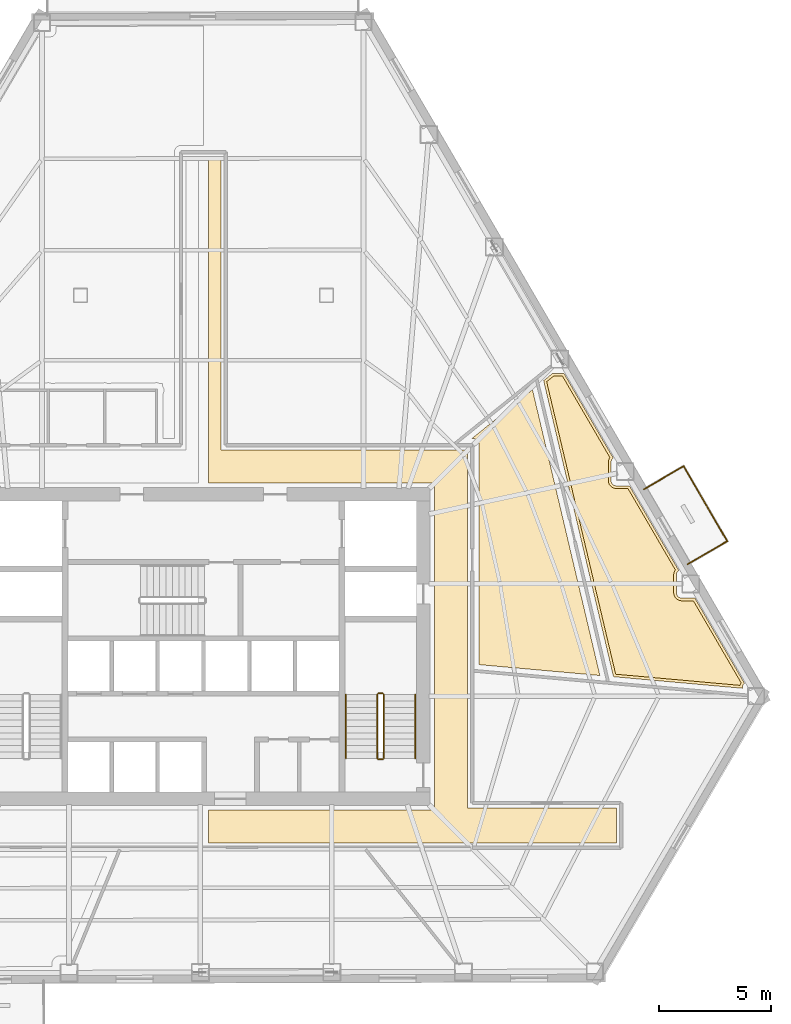
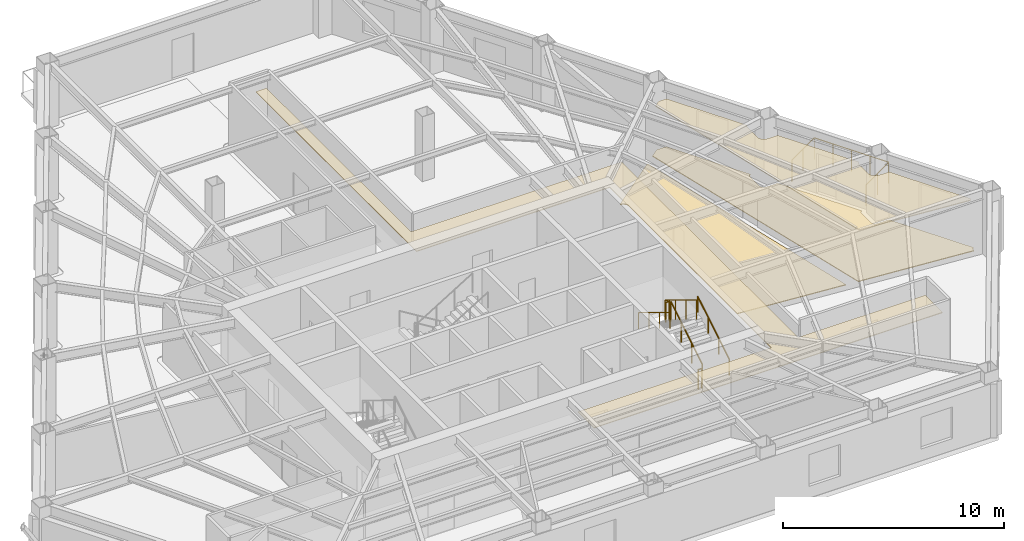
# One storey, part 14 of 15: 9 railings, 4 coverings.
"""IFC4 building model written with IfcOpenShell, lengths in metres."""

import ifcopenshell
import ifcopenshell.guid

model = None  # the IFC model being written
_history = None  # IfcOwnerHistory: only IFC2X3 demands one
_inside = {}  # id of a spatial element -> (the spatial element, [elements in it])
_under = {}  # id of a project, library or spatial element -> (it, [spatial elements below it])
_declared = {}  # id of a project -> (the project, [libraries it declares])
_typed = {}  # id of a type object -> (the type object, [elements of that type])
_made_of = {}  # id of a material, layer set ... -> (it, [elements and type objects made of it])


def new_model(schema):
    """Start an empty IFC model of exactly this schema.

    Asked for "IFC4X3", IfcOpenShell would pick the latest addendum, in which some entities
    have other attributes; the version numbers below select the first issue.
    IFC2X3 requires an IfcOwnerHistory on every rooted entity: one is made here for all.
    """
    global model, _history
    if schema == "IFC4X3":
        model = ifcopenshell.file(schema_version=(4, 3, 0, 0))
    else:
        model = ifcopenshell.file(schema=schema)
    _inside.clear()
    _under.clear()
    _declared.clear()
    _typed.clear()
    _made_of.clear()
    _history = None
    if model.schema == "IFC2X3":
        org = make("IfcOrganization", Name="unknown")
        user = make(
            "IfcPersonAndOrganization",
            ThePerson=make("IfcPerson", FamilyName="unknown"),
            TheOrganization=org,
        )
        app = make(
            "IfcApplication",
            ApplicationDeveloper=org,
            Version="unknown",
            ApplicationFullName="unknown",
            ApplicationIdentifier="unknown",
        )
        _history = make(
            "IfcOwnerHistory",
            OwningUser=user,
            OwningApplication=app,
            ChangeAction="ADDED",
            CreationDate=0,
        )
    return model


def make(cls, **values):
    """One entity of the class cls with the attributes given. An attribute that is None is left unset."""
    return model.create_entity(
        cls, **{name: value for name, value in values.items() if value is not None}
    )


def rooted(cls, **values):
    """An entity with a GlobalId (a new one), such as an element, a storey or a relation."""
    return make(cls, GlobalId=ifcopenshell.guid.new(), OwnerHistory=_history, **values)


def si_unit(unit_type, name, prefix=None):
    """IfcSIUnit, for example si_unit("LENGTHUNIT", "METRE", prefix="MILLI")."""
    return make("IfcSIUnit", UnitType=unit_type, Prefix=prefix, Name=name)


def assignment(units):
    """IfcUnitAssignment: the units of a project."""
    return None if units is None else make("IfcUnitAssignment", Units=units)


def point(xyz):
    """IfcCartesianPoint."""
    return None if xyz is None else make("IfcCartesianPoint", Coordinates=xyz)


def direction(xyz):
    """IfcDirection."""
    return None if xyz is None else make("IfcDirection", DirectionRatios=xyz)


def frame(location, z_axis=None, x_axis=None):
    """IfcAxis2Placement3D, a coordinate frame: its origin and axes. An axis left out is left unset."""
    return make(
        "IfcAxis2Placement3D",
        Location=point(location),
        Axis=direction(z_axis),
        RefDirection=direction(x_axis),
    )


def frame_2d(location, x_axis=None):
    """IfcAxis2Placement2D, a coordinate frame in the plane: its origin and x axis."""
    return make(
        "IfcAxis2Placement2D", Location=point(location), RefDirection=direction(x_axis)
    )


def origin():
    """The frame at (0, 0, 0) with its axes left unset."""
    return frame((0.0, 0.0, 0.0))


def origin_2d():
    """The frame at (0, 0) in the plane with its x axis left unset."""
    return frame_2d((0.0, 0.0))


def place(relative_to, where):
    """IfcLocalPlacement: puts the frame where relative to a parent placement (None: the world)."""
    return make(
        "IfcLocalPlacement", PlacementRelTo=relative_to, RelativePlacement=where
    )


def context(
    kind, dimensions, precision=None, world=None, true_north=None, identifier=None
):
    """IfcGeometricRepresentationContext, for example the 3D "Model" context."""
    return make(
        "IfcGeometricRepresentationContext",
        ContextIdentifier=identifier,
        ContextType=kind,
        CoordinateSpaceDimension=dimensions,
        Precision=precision,
        WorldCoordinateSystem=world,
        TrueNorth=true_north,
    )


def subcontext(parent, identifier, kind, view, scale=None):
    """IfcGeometricRepresentationSubContext, for example "Body" below "Model"."""
    return make(
        "IfcGeometricRepresentationSubContext",
        ContextIdentifier=identifier,
        ContextType=kind,
        ParentContext=parent,
        TargetScale=scale,
        TargetView=view,
    )


def project(units=None, contexts=None):
    """IfcProject with its units and contexts."""
    return rooted(
        "IfcProject",
        Name="project",
        RepresentationContexts=contexts,
        UnitsInContext=assignment(units),
    )


def spatial(cls, under=None, at=None, **own):
    """A site, building, storey or space (cls), placed at a placement, below another one or the project."""
    s = rooted(cls, ObjectPlacement=at, **own)
    if under is not None:
        _under.setdefault(under.id(), (under, []))[1].append(s)
    return s


def polyline(points):
    """IfcPolyline through the points."""
    return make("IfcPolyline", Points=[point(p) for p in points])


def profile(cls, at=None, kind="AREA", **sizes):
    """A parametric profile (cls). Its sizes go by their IFC names, for example OverallWidth=200.0."""
    return make(cls, ProfileType=kind, Position=at, **sizes)


def circle(**sizes):
    """IfcCircleProfileDef."""
    return profile("IfcCircleProfileDef", **sizes)


def outline(outer, holes=None, kind="AREA"):
    """IfcArbitraryClosedProfileDef: a profile drawn as a closed curve; with holes, ...WithVoids."""
    if holes is None:
        return make("IfcArbitraryClosedProfileDef", ProfileType=kind, OuterCurve=outer)
    return make(
        "IfcArbitraryProfileDefWithVoids",
        ProfileType=kind,
        OuterCurve=outer,
        InnerCurves=holes,
    )


def extrude(swept, where, along, depth):
    """IfcExtrudedAreaSolid: the profile swept, set in the frame where, extruded along a direction by depth."""
    return make(
        "IfcExtrudedAreaSolid",
        SweptArea=swept,
        Position=where,
        ExtrudedDirection=direction(along),
        Depth=depth,
    )


def shape(context_of_items, identifier, shape_type, items):
    """IfcShapeRepresentation: the items that make up one representation, for example the "Body"."""
    return make(
        "IfcShapeRepresentation",
        ContextOfItems=context_of_items,
        RepresentationIdentifier=identifier,
        RepresentationType=shape_type,
        Items=items,
    )


def material(Name=None, Category=None):
    """IfcMaterial."""
    return make("IfcMaterial", Name=Name, Category=Category)


def layer(
    of_material, thickness, ventilated=None, Name=None, Category=None, Priority=None
):
    """IfcMaterialLayer: one layer of a wall or slab, of a material (None: an air gap)."""
    return make(
        "IfcMaterialLayer",
        Material=of_material,
        LayerThickness=thickness,
        IsVentilated=ventilated,
        Name=Name,
        Category=Category,
        Priority=Priority,
    )


def layer_set(layers, Name=None):
    """IfcMaterialLayerSet."""
    return make("IfcMaterialLayerSet", MaterialLayers=layers, LayerSetName=Name)


def made_of(thing, what):
    """Note that an element or type object is made of a material, layer set ...; save() writes the relation."""
    if what is not None:
        _made_of.setdefault(what.id(), (what, []))[1].append(thing)
    return thing


def type_object(cls, material=None, **own):
    """A type object (cls), such as IfcWallType, which elements share."""
    return made_of(rooted(cls, **own), material)


def element(
    cls,
    number,
    at=None,
    inside=None,
    cuts=None,
    type_object=None,
    material=None,
    context=None,
    identifier="Body",
    shape_type=None,
    held_by="IfcProductDefinitionShape",
    body=None,
    shapes=None,
    **own,
):
    """One element of the class cls, such as IfcWall. Its Tag is "e" and its number.

    at: its placement. inside: the storey or other place that contains it. cuts: it is an
    opening in that element (IfcRelVoidsElement). A single representation is given by context,
    identifier, shape_type and body (its items); several are given by shapes. held_by: the class
    of the entity that holds the representations. save() writes the other relations.
    """
    e = rooted(cls, Tag="e%d" % number, ObjectPlacement=at, **own)
    if body is not None:
        shapes = [shape(context, identifier, shape_type, body)]
    if shapes is not None:
        e.Representation = make(held_by, Representations=shapes)
    if inside is not None:
        _inside.setdefault(inside.id(), (inside, []))[1].append(e)
    if cuts is not None:
        rooted(
            "IfcRelVoidsElement", RelatingBuildingElement=cuts, RelatedOpeningElement=e
        )
    if type_object is not None:
        _typed.setdefault(type_object.id(), (type_object, []))[1].append(e)
    return made_of(e, material)


def aggregate(whole, parts):
    """IfcRelAggregates: a whole, such as a stair, and the parts it consists of."""
    return rooted("IfcRelAggregates", RelatingObject=whole, RelatedObjects=parts)


def save(model, path):
    """Write the relations noted so far, then the file.

    IfcRelAggregates (storeys below a building ...), IfcRelContainedInSpatialStructure (elements
    in a storey), IfcRelDefinesByType, IfcRelAssociatesMaterial and IfcRelDeclares: one each for
    every whole, place, type object, material and project.
    """
    for whole, parts in _under.values():
        aggregate(whole, parts)
    for where, things in _inside.values():
        rooted(
            "IfcRelContainedInSpatialStructure",
            RelatedElements=things,
            RelatingStructure=where,
        )
    for kind, things in _typed.values():
        rooted("IfcRelDefinesByType", RelatedObjects=things, RelatingType=kind)
    for what, things in _made_of.values():
        rooted("IfcRelAssociatesMaterial", RelatedObjects=things, RelatingMaterial=what)
    for by, libraries in _declared.values():
        rooted("IfcRelDeclares", RelatingContext=by, RelatedDefinitions=libraries)
    model.write(path)


model = new_model("IFC4")

# Units and contexts
model_context = context("Model", 3, precision=1e-05, world=origin(), true_north=direction((0.0, 1.0)))
body_context = subcontext(model_context, "Body", "Model", "MODEL_VIEW")
ifc_project = project(units=[si_unit("LENGTHUNIT", "METRE"), si_unit("AREAUNIT", "SQUARE_METRE"), si_unit("VOLUMEUNIT", "CUBIC_METRE"), si_unit("PLANEANGLEUNIT", "RADIAN"), si_unit("MASSUNIT", "GRAM", prefix="KILO")], contexts=[model_context])

# Site, building, storey
site_placement = place(None, origin())
site = spatial("IfcSite", under=ifc_project, at=site_placement, CompositionType="ELEMENT")
building_placement = place(site_placement, origin())
building = spatial("IfcBuilding", under=site, at=building_placement, Name="Kavelnor Concourse Tower", CompositionType="ELEMENT")
storey_placement = place(building_placement, frame((0.0, 0.0, 63.75)))
storey = spatial("IfcBuildingStorey", under=building, at=storey_placement, Name="L16", CompositionType="ELEMENT", Elevation=63.75)

# Coverings
ifc_material_1 = material(Name="Mineral fibre acoustic ceiling tile")
ifc_layer_1 = layer(ifc_material_1, 0.0400390625, Name="Mineral fibre acoustic ceiling tile")
ifc_layer_set_1 = layer_set([ifc_layer_1], Name="Mineral fibre acoustic ceiling tile")
covering_type_1 = type_object("IfcCoveringType", Name="COV-CEILING-ACOUSTIC", PredefinedType="CEILING", material=ifc_layer_set_1)
covering_1_placement = place(storey_placement, frame((0.0, 0.0, 2.75)))
element("IfcCovering", 1, at=covering_1_placement, inside=storey, type_object=covering_type_1, Name="L16 Suspended Acoustic Ceiling", PredefinedType="CEILING", context=body_context, shape_type="SweptSolid", body=[
    extrude(outline(polyline([(38.780029296875, 37.97998046875), (38.780029296875, 24.8798828125), (49.800048828125, 24.8798828125), (49.800048828125, 8.8798828125), (56.45947265625, 8.8798828125), (56.45947265625, 7.320068359375), (38.22509765625, 7.320068359375), (38.22509765625, 8.780029296875), (48.340087890625, 8.780029296875), (48.340087890625, 23.419921875), (38.22509765625, 23.419921875), (38.22509765625, 37.97998046875), (38.780029296875, 37.97998046875)])), origin(), (0.0, 0.0, 1.0), 0.0400390625),
])
covering_2_placement = place(storey_placement, frame((0.0, 0.0, 2.75)))
element("IfcCovering", 2, at=covering_2_placement, inside=storey, type_object=covering_type_1, Name="L16 Suspended Acoustic Ceiling", PredefinedType="CEILING", context=body_context, shape_type="SweptSolid", body=[
    extrude(outline(polyline([(54.05322265625, 28.188232421875), (56.17529296875, 24.545166015625), (56.160888671875, 24.525390625), (56.142578125, 24.4951171875), (56.127685546875, 24.463134765625), (56.11572265625, 24.429931640625), (56.107177734375, 24.3955078125), (56.101806640625, 24.360595703125), (56.1005859375, 24.33349609375), (56.1005859375, 23.51708984375), (56.101806640625, 23.489990234375), (56.107177734375, 23.455078125), (56.11572265625, 23.420654296875), (56.127685546875, 23.387451171875), (56.142578125, 23.35546875), (56.160888671875, 23.3251953125), (56.181884765625, 23.296630859375), (56.205810546875, 23.2705078125), (56.23193359375, 23.24658203125), (56.260498046875, 23.2255859375), (56.290771484375, 23.20751953125), (56.32275390625, 23.1923828125), (56.35595703125, 23.180419921875), (56.390380859375, 23.171875), (56.42529296875, 23.16650390625), (56.452392578125, 23.165283203125), (56.979248046875, 23.165283203125), (59.101318359375, 19.522216796875), (59.0869140625, 19.502685546875), (59.068603515625, 19.472412109375), (59.053466796875, 19.440185546875), (59.04150390625, 19.406982421875), (59.032958984375, 19.372802734375), (59.02783203125, 19.337646484375), (59.026611328125, 19.310791015625), (59.026611328125, 18.494140625), (59.02783203125, 18.467041015625), (59.032958984375, 18.43212890625), (59.04150390625, 18.397705078125), (59.053466796875, 18.364501953125), (59.068603515625, 18.33251953125), (59.0869140625, 18.30224609375), (59.10791015625, 18.273681640625), (59.131591796875, 18.24755859375), (59.157958984375, 18.223876953125), (59.186279296875, 18.20263671875), (59.216552734375, 18.1845703125), (59.24853515625, 18.16943359375), (59.281982421875, 18.157470703125), (59.316162109375, 18.14892578125), (59.351318359375, 18.143798828125), (59.378173828125, 18.142333984375), (59.9052734375, 18.142333984375), (62.042724609375, 14.472900390625), (62.03271484375, 14.459716796875), (62.0146484375, 14.429443359375), (61.99951171875, 14.3974609375), (61.987548828125, 14.364013671875), (61.98681640625, 14.361328125), (56.431396484375, 14.860595703125), (53.345458984375, 27.940185546875), (53.6533203125, 28.188232421875), (54.05322265625, 28.188232421875)])), origin(), (0.0, 0.0, 1.0), 0.0400390625),
])
ifc_material_2 = material(Name="Honed bluestone and raised access floor finish", Category="masonry")
ifc_layer_2 = layer(ifc_material_2, 0.0400390625, Name="Honed bluestone and raised access floor finish")
ifc_layer_set_2 = layer_set([ifc_layer_2], Name="Honed bluestone and raised access floor finish")
covering_type_2 = type_object("IfcCoveringType", Name="COV-FLOOR-STONE", PredefinedType="FLOORING", material=ifc_layer_set_2)
covering_3_placement = place(storey_placement, frame((0.0, 0.0, 0.001953125)))
element("IfcCovering", 3, at=covering_3_placement, inside=storey, type_object=covering_type_2, Name="L16 Honed Bluestone Floor Finish", PredefinedType="FLOORING", context=body_context, shape_type="SweptSolid", body=[
    extrude(outline(polyline([(50.31689453125, 25.1591796875), (50.309814453125, 25.18798828125), (50.2998046875, 25.2158203125), (50.287109375, 25.24267578125), (50.271728515625, 25.268310546875), (50.25390625, 25.2919921875), (50.234130859375, 25.314208984375), (50.212158203125, 25.333984375), (50.188232421875, 25.351806640625), (50.16259765625, 25.366943359375), (50.135986328125, 25.379638671875), (50.10791015625, 25.3896484375), (50.0791015625, 25.39697265625), (50.0498046875, 25.4013671875), (50.025390625, 25.402587890625), (50.007080078125, 25.402587890625), (52.710693359375, 27.58251953125), (55.7255859375, 14.803466796875), (50.322509765625, 15.2890625), (50.322509765625, 25.10546875), (50.3212890625, 25.129638671875), (50.31689453125, 25.1591796875)])), origin(), (0.0, 0.0, 1.0), 0.0400390625),
])
covering_4_placement = place(storey_placement, frame((0.0, 0.0, 0.001953125)))
element("IfcCovering", 4, at=covering_4_placement, inside=storey, type_object=covering_type_2, Name="L16 Honed Bluestone Floor Finish", PredefinedType="FLOORING", context=body_context, shape_type="SweptSolid", body=[
    extrude(outline(polyline([(54.122314453125, 28.30810546875), (56.326416015625, 24.5244140625), (56.30810546875, 24.510986328125), (56.290771484375, 24.4951171875), (56.27490234375, 24.477783203125), (56.2607421875, 24.458740234375), (56.248779296875, 24.438720703125), (56.238525390625, 24.417236328125), (56.230712890625, 24.39501953125), (56.22509765625, 24.372314453125), (56.221435546875, 24.348876953125), (56.220703125, 24.330810546875), (56.220703125, 23.52001953125), (56.221435546875, 23.501708984375), (56.22509765625, 23.478515625), (56.230712890625, 23.45556640625), (56.238525390625, 23.433349609375), (56.248779296875, 23.412109375), (56.2607421875, 23.391845703125), (56.27490234375, 23.372802734375), (56.290771484375, 23.35546875), (56.30810546875, 23.339599609375), (56.3271484375, 23.325439453125), (56.347412109375, 23.3134765625), (56.36865234375, 23.30322265625), (56.390869140625, 23.29541015625), (56.413818359375, 23.289794921875), (56.43701171875, 23.2861328125), (56.455078125, 23.285400390625), (57.048095703125, 23.285400390625), (59.252197265625, 19.501708984375), (59.234130859375, 19.488037109375), (59.216552734375, 19.472412109375), (59.20068359375, 19.454833984375), (59.186767578125, 19.435791015625), (59.174560546875, 19.415771484375), (59.16455078125, 19.394287109375), (59.156494140625, 19.3720703125), (59.15087890625, 19.349365234375), (59.1474609375, 19.325927734375), (59.146484375, 19.307861328125), (59.146484375, 18.4970703125), (59.1474609375, 18.478759765625), (59.15087890625, 18.45556640625), (59.156494140625, 18.4326171875), (59.16455078125, 18.410400390625), (59.174560546875, 18.38916015625), (59.186767578125, 18.368896484375), (59.20068359375, 18.35009765625), (59.216552734375, 18.33251953125), (59.234130859375, 18.316650390625), (59.2529296875, 18.302490234375), (59.273193359375, 18.29052734375), (59.294677734375, 18.280517578125), (59.31689453125, 18.2724609375), (59.339599609375, 18.266845703125), (59.36279296875, 18.26318359375), (59.381103515625, 18.262451171875), (59.97412109375, 18.262451171875), (62.1923828125, 14.454345703125), (62.18017578125, 14.4453125), (62.16259765625, 14.429443359375), (62.146728515625, 14.411865234375), (62.1328125, 14.39306640625), (62.12060546875, 14.372802734375), (62.110595703125, 14.351318359375), (62.1025390625, 14.3291015625), (62.096923828125, 14.306396484375), (62.093505859375, 14.283203125), (62.092529296875, 14.264892578125), (62.092529296875, 14.2314453125), (56.334716796875, 14.748779296875), (53.211181640625, 27.986083984375), (53.61083984375, 28.30810546875), (54.122314453125, 28.30810546875)])), origin(), (0.0, 0.0, 1.0), 0.0400390625),
])

# Railings
ifc_material_3 = material(Name="Steel Grade 350", Category="steel")
railing_type_1 = type_object("IfcRailingType", Name="RLG-GUARD-1100", PredefinedType="GUARDRAIL", material=ifc_material_3)
railing_1_placement = place(storey_placement, frame((46.070068359375, 11.10009765625, 0.175048828125)))
element("IfcRailing", 5, at=railing_1_placement, inside=storey, type_object=railing_type_1, Name="L16 ST2 stair guard 1", PredefinedType="GUARDRAIL", context=body_context, shape_type="SweptSolid", body=[
    extrude(circle(Radius=0.02392578125, at=origin_2d()), frame((0.0, 0.0, 1.076171875), z_axis=(0.0, 0.852159232446, 0.523282564737), x_axis=(-1.0, 0.0, 0.0)), (0.0, 0.0, 1.0), 3.34423828125),
    extrude(circle(Radius=0.02099609375, at=origin_2d()), origin(), (0.0, 0.0, 1.0), 1.052001953125),
    extrude(circle(Radius=0.02099609375, at=origin_2d()), frame((0.0, 0.949951171875, 0.583251953125)), (0.0, 0.0, 1.0), 1.052001953125),
    extrude(circle(Radius=0.02099609375, at=origin_2d()), frame((0.0, 1.89990234375, 1.166748046875)), (0.0, 0.0, 1.0), 1.052001953125),
    extrude(circle(Radius=0.02099609375, at=origin_2d()), frame((0.0, 2.849853515625, 1.75)), (0.0, 0.0, 1.0), 1.052001953125),
])
railing_2_placement = place(storey_placement, frame((46.02001953125, 14.0, 1.925048828125)))
element("IfcRailing", 6, at=railing_2_placement, inside=storey, type_object=railing_type_1, Name="L16 ST2 stair guard 2", PredefinedType="GUARDRAIL", context=body_context, shape_type="SweptSolid", body=[
    extrude(circle(Radius=0.02392578125, at=origin_2d()), frame((0.0, 0.0, 1.076171875), z_axis=(-1.0, 0.0, 0.0), x_axis=(0.0, -1.0, 0.0)), (0.0, 0.0, 1.0), 0.199951171875),
    extrude(circle(Radius=0.02099609375, at=origin_2d()), origin(), (0.0, 0.0, 1.0), 1.052001953125),
    extrude(circle(Radius=0.02099609375, at=origin_2d()), frame((-0.199951171875, 0.0, 0.0)), (0.0, 0.0, 1.0), 1.052001953125),
])
railing_3_placement = place(storey_placement, frame((45.77001953125, 13.949951171875, 2.10009765625)))
element("IfcRailing", 7, at=railing_3_placement, inside=storey, type_object=railing_type_1, Name="L16 ST2 stair guard 3", PredefinedType="GUARDRAIL", context=body_context, shape_type="SweptSolid", body=[
    extrude(circle(Radius=0.02392578125, at=origin_2d()), frame((0.0, 0.0, 1.076171875), z_axis=(0.0, -0.852159232446, 0.523282564737), x_axis=(1.0, 0.0, 0.0)), (0.0, 0.0, 1.0), 3.34423828125),
    extrude(circle(Radius=0.02099609375, at=origin_2d()), origin(), (0.0, 0.0, 1.0), 1.052001953125),
    extrude(circle(Radius=0.02099609375, at=origin_2d()), frame((0.0, -0.949951171875, 0.583251953125)), (0.0, 0.0, 1.0), 1.052001953125),
    extrude(circle(Radius=0.02099609375, at=origin_2d()), frame((0.0, -1.89990234375, 1.166748046875)), (0.0, 0.0, 1.0), 1.052001953125),
    extrude(circle(Radius=0.02099609375, at=origin_2d()), frame((0.0, -2.849853515625, 1.75)), (0.0, 0.0, 1.0), 1.052001953125),
])
railing_4_placement = place(storey_placement, frame((46.02001953125, 11.050048828125, 0.0)))
element("IfcRailing", 8, at=railing_4_placement, inside=storey, type_object=railing_type_1, Name="L16 ST2 stair guard 4", PredefinedType="GUARDRAIL", context=body_context, shape_type="SweptSolid", body=[
    extrude(circle(Radius=0.02392578125, at=origin_2d()), frame((0.0, 0.0, 1.076171875), z_axis=(-1.0, 0.0, 0.0), x_axis=(0.0, -1.0, 0.0)), (0.0, 0.0, 1.0), 0.199951171875),
    extrude(circle(Radius=0.02099609375, at=origin_2d()), origin(), (0.0, 0.0, 1.0), 1.052001953125),
    extrude(circle(Radius=0.02099609375, at=origin_2d()), frame((-0.199951171875, 0.0, 0.0)), (0.0, 0.0, 1.0), 1.052001953125),
])
railing_type_2 = type_object("IfcRailingType", Name="RLG-HANDRAIL-900", PredefinedType="HANDRAIL", material=ifc_material_3)
railing_5_placement = place(storey_placement, frame((47.469970703125, 11.10009765625, 0.175048828125)))
element("IfcRailing", 9, at=railing_5_placement, inside=storey, type_object=railing_type_2, Name="L16 ST2 stair handrail 1", PredefinedType="HANDRAIL", context=body_context, shape_type="SweptSolid", body=[
    extrude(circle(Radius=0.02392578125, at=origin_2d()), frame((0.0, 0.0, 0.8759765625), z_axis=(0.0, 0.852159232446, 0.523282564737), x_axis=(-1.0, 0.0, 0.0)), (0.0, 0.0, 1.0), 3.34423828125),
    extrude(circle(Radius=0.02099609375, at=origin_2d()), origin(), (0.0, 0.0, 1.0), 0.851806640625),
    extrude(circle(Radius=0.02099609375, at=origin_2d()), frame((0.0, 0.949951171875, 0.583251953125)), (0.0, 0.0, 1.0), 0.851806640625),
    extrude(circle(Radius=0.02099609375, at=origin_2d()), frame((0.0, 1.89990234375, 1.166748046875)), (0.0, 0.0, 1.0), 0.851806640625),
    extrude(circle(Radius=0.02099609375, at=origin_2d()), frame((0.0, 2.849853515625, 1.75)), (0.0, 0.0, 1.0), 0.851806640625),
])
railing_6_placement = place(storey_placement, frame((44.3701171875, 13.949951171875, 2.10009765625)))
element("IfcRailing", 10, at=railing_6_placement, inside=storey, type_object=railing_type_2, Name="L16 ST2 stair handrail 2", PredefinedType="HANDRAIL", context=body_context, shape_type="SweptSolid", body=[
    extrude(circle(Radius=0.02392578125, at=origin_2d()), frame((0.0, 0.0, 0.8759765625), z_axis=(0.0, -0.852159232446, 0.523282564737), x_axis=(1.0, 0.0, 0.0)), (0.0, 0.0, 1.0), 3.34423828125),
    extrude(circle(Radius=0.02099609375, at=origin_2d()), origin(), (0.0, 0.0, 1.0), 0.851806640625),
    extrude(circle(Radius=0.02099609375, at=origin_2d()), frame((0.0, -0.949951171875, 0.583251953125)), (0.0, 0.0, 1.0), 0.851806640625),
    extrude(circle(Radius=0.02099609375, at=origin_2d()), frame((0.0, -1.89990234375, 1.166748046875)), (0.0, 0.0, 1.0), 0.851806640625),
    extrude(circle(Radius=0.02099609375, at=origin_2d()), frame((0.0, -2.849853515625, 1.75)), (0.0, 0.0, 1.0), 0.851806640625),
])
ifc_material_4 = material(Name="Architectural bronze-anodised aluminium", Category="aluminium")
railing_type_3 = type_object("IfcRailingType", Name="RLG-TERRACE-1200", PredefinedType="BALUSTRADE", material=ifc_material_4)
railing_7_placement = place(storey_placement, frame((59.647705078125, 19.776611328125, 0.0)))
element("IfcRailing", 11, at=railing_7_placement, inside=storey, type_object=railing_type_3, Name="L16 Tree Balcony 2 Guardrail L", PredefinedType="BALUSTRADE", context=body_context, shape_type="SweptSolid", body=[
    extrude(circle(Radius=0.02392578125, at=origin_2d()), frame((0.0, 0.0, 1.17578125), z_axis=(0.864094077645, 0.503330333856, 0.0), x_axis=(-0.503330333856, 0.864094077645, 0.0)), (0.0, 0.0, 1.0), 2.0498046875),
    extrude(circle(Radius=0.02099609375, at=origin_2d()), origin(), (0.0, 0.0, 1.0), 1.15185546875),
    extrude(circle(Radius=0.02099609375, at=origin_2d()), frame((0.8857421875, 0.515869140625, 0.0)), (0.0, 0.0, 1.0), 1.15185546875),
    extrude(circle(Radius=0.02099609375, at=origin_2d()), frame((1.771240234375, 1.03173828125, 0.0)), (0.0, 0.0, 1.0), 1.15185546875),
])
railing_8_placement = place(storey_placement, frame((61.4189453125, 20.808349609375, 0.0)))
element("IfcRailing", 12, at=railing_8_placement, inside=storey, type_object=railing_type_3, Name="L16 Tree Balcony 2 Guardrail F", PredefinedType="BALUSTRADE", context=body_context, shape_type="SweptSolid", body=[
    extrude(circle(Radius=0.02392578125, at=origin_2d()), frame((0.0, 0.0, 1.17578125), z_axis=(-0.503311470063, 0.864105065431, 0.0), x_axis=(-0.864105065431, -0.503311470063, 0.0)), (0.0, 0.0, 1.0), 3.880126953125),
    extrude(circle(Radius=0.02099609375, at=origin_2d()), origin(), (0.0, 0.0, 1.0), 1.15185546875),
    extrude(circle(Radius=0.02099609375, at=origin_2d()), frame((-0.48828125, 0.838134765625, 0.0)), (0.0, 0.0, 1.0), 1.15185546875),
    extrude(circle(Radius=0.02099609375, at=origin_2d()), frame((-0.9765625, 1.67626953125, 0.0)), (0.0, 0.0, 1.0), 1.15185546875),
    extrude(circle(Radius=0.02099609375, at=origin_2d()), frame((-1.464599609375, 2.5146484375, 0.0)), (0.0, 0.0, 1.0), 1.15185546875),
    extrude(circle(Radius=0.02099609375, at=origin_2d()), frame((-1.952880859375, 3.352783203125, 0.0)), (0.0, 0.0, 1.0), 1.15185546875),
])
railing_9_placement = place(storey_placement, frame((59.466064453125, 24.1611328125, 0.0)))
element("IfcRailing", 13, at=railing_9_placement, inside=storey, type_object=railing_type_3, Name="L16 Tree Balcony 2 Guardrail R", PredefinedType="BALUSTRADE", context=body_context, shape_type="SweptSolid", body=[
    extrude(circle(Radius=0.02392578125, at=origin_2d()), frame((0.0, 0.0, 1.17578125), z_axis=(-0.864072453203, -0.503367455856, 0.0), x_axis=(0.503367455856, -0.864072453203, 0.0)), (0.0, 0.0, 1.0), 2.050048828125),
    extrude(circle(Radius=0.02099609375, at=origin_2d()), origin(), (0.0, 0.0, 1.0), 1.15185546875),
    extrude(circle(Radius=0.02099609375, at=origin_2d()), frame((-0.8857421875, -0.51611328125, 0.0)), (0.0, 0.0, 1.0), 1.15185546875),
    extrude(circle(Radius=0.02099609375, at=origin_2d()), frame((-1.771484375, -1.031982421875, 0.0)), (0.0, 0.0, 1.0), 1.15185546875),
])

save(model, "model.ifc")
